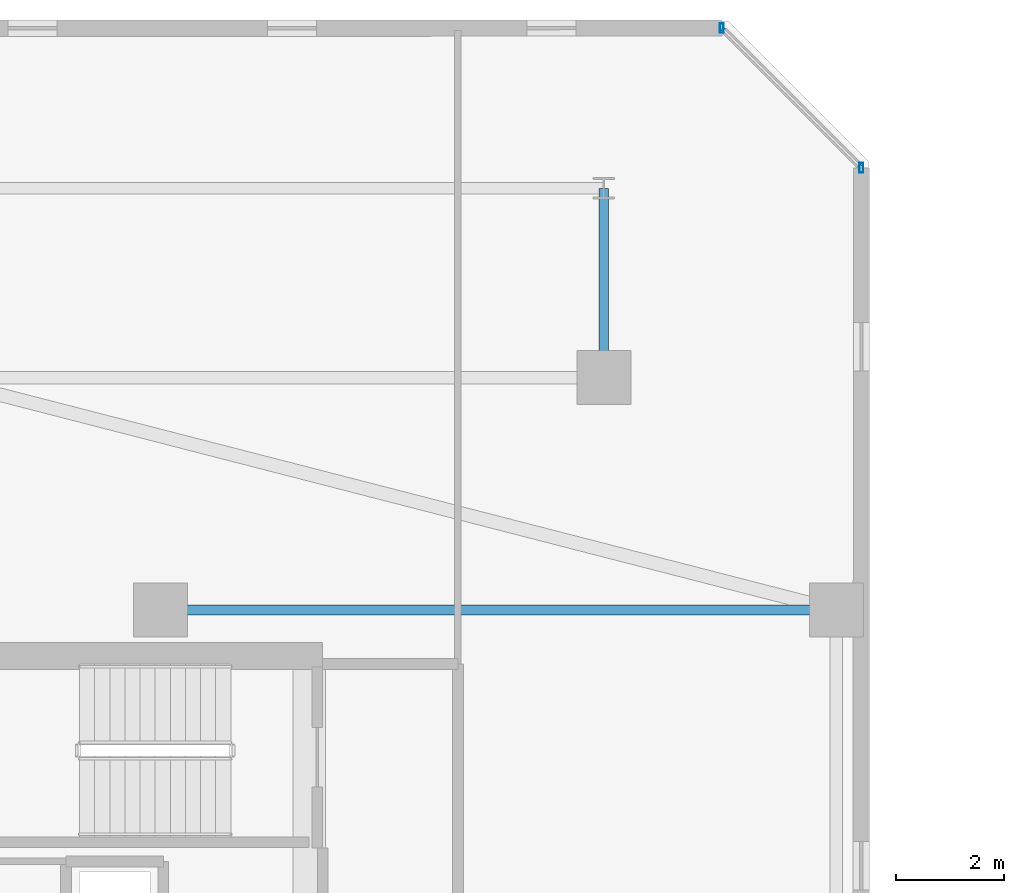
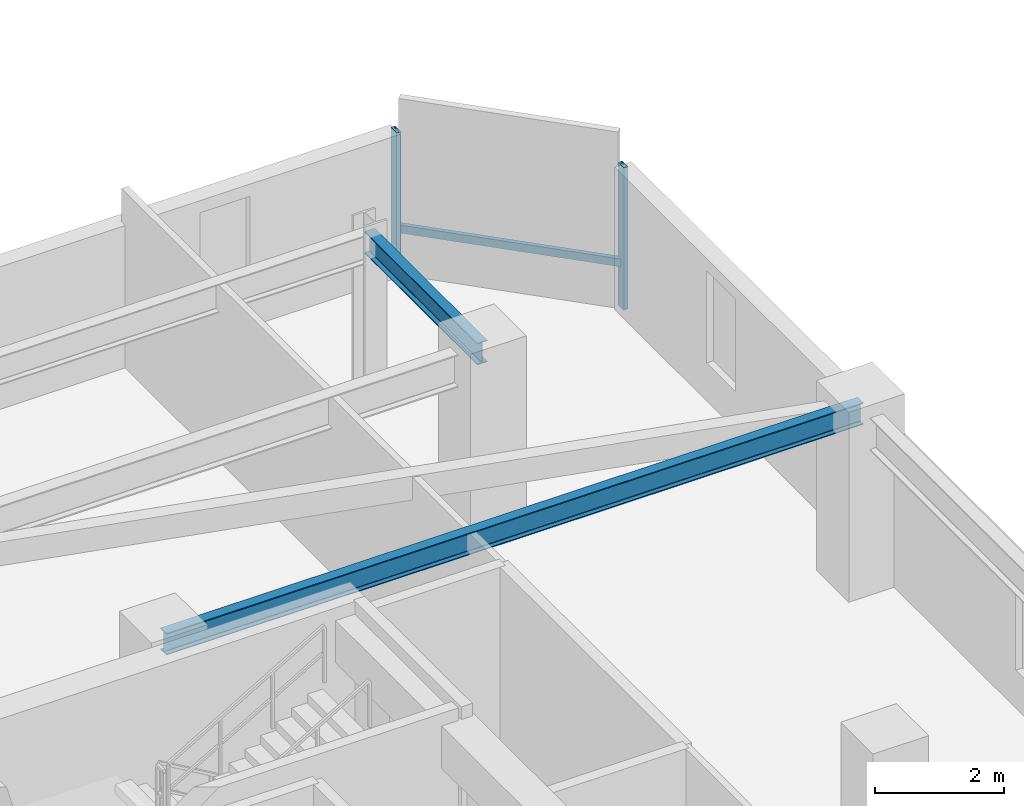
# One storey, part 10 of 33: 3 members, 2 beams, 1 element without a shape of its own.
"""IFC4 building model written with IfcOpenShell, lengths in metres."""

from ifc_helpers import new_model, si_unit, direction, frame, origin, origin_2d, place, context, subcontext, project, spatial, hollow_rectangle, i_section, extrude, material, material_profile, profile_set, type_object, element, aggregate, save


model = new_model("IFC4")

# Units and contexts
model_context = context("Model", 3, precision=1e-05, world=origin(), true_north=direction((0.0, 1.0)))
body_context = subcontext(model_context, "Body", "Model", "MODEL_VIEW")
ifc_project = project(units=[si_unit("LENGTHUNIT", "METRE"), si_unit("AREAUNIT", "SQUARE_METRE"), si_unit("VOLUMEUNIT", "CUBIC_METRE"), si_unit("PLANEANGLEUNIT", "RADIAN"), si_unit("MASSUNIT", "GRAM", prefix="KILO")], contexts=[model_context])

# Site, building, storey
site_placement = place(None, origin())
site = spatial("IfcSite", under=ifc_project, at=site_placement, CompositionType="ELEMENT")
building_placement = place(site_placement, origin())
building = spatial("IfcBuilding", under=site, at=building_placement, Name="Thornwick Lancets Civic Towers", CompositionType="ELEMENT")
storey_placement = place(building_placement, frame((0.0, 0.0, 207.300048828125)))
storey = spatial("IfcBuildingStorey", under=building, at=storey_placement, Name="L55", CompositionType="ELEMENT", Elevation=207.300048828125)

# Beams
ifc_material_1 = material(Name="Steel S355JR", Category="steel")
ifc_material_profile_1 = material_profile(ifc_material_1, i_section(OverallWidth=0.179443359375, OverallDepth=0.412841796875, WebThickness=0.009521484375, FlangeThickness=0.01611328125, FilletRadius=0.01025390625, at=origin_2d()), Name="UKB 406x178x74")
ifc_profile_set_1 = profile_set([ifc_material_profile_1], Name="Steel S355JR")
beam_type = type_object("IfcBeamType", Name="BM_JOIST_406_74", PredefinedType="JOIST", material=ifc_profile_set_1)
beam_1_placement = place(storey_placement, frame((30.300048828125, 40.0, 3.153564453125), z_axis=(1.0, 0.0, 0.0), x_axis=(0.0, 1.0, 0.0)))
element("IfcBeam", 1, at=beam_1_placement, inside=storey, type_object=beam_type, Name="BM-RADIN-L55-A06", PredefinedType="JOIST", context=body_context, shape_type="SweptSolid", body=[
    extrude(i_section(OverallWidth=0.179443359375, OverallDepth=0.412841796875, WebThickness=0.009521484375, FlangeThickness=0.01611328125, FilletRadius=0.01025390625, at=origin_2d()), origin(), (0.0, 0.0, 1.0), 12.5),
])
beam_2_placement = place(storey_placement, frame((38.5, 44.300048828125, 3.153564453125), z_axis=(0.0, 1.0, 0.0), x_axis=(-1.0, 0.0, 0.0)))
element("IfcBeam", 2, at=beam_2_placement, inside=storey, type_object=beam_type, Name="BM-RAD-L55-A09", PredefinedType="JOIST", context=body_context, shape_type="SweptSolid", body=[
    extrude(i_section(OverallWidth=0.179443359375, OverallDepth=0.412841796875, WebThickness=0.009521484375, FlangeThickness=0.01611328125, FilletRadius=0.01025390625, at=origin_2d()), origin(), (0.0, 0.0, 1.0), 3.5),
])

# Curtain wall, members
ifc_material_2 = material(Name="High-zone chamfered-corner unitised glass curtain wall", Category="glass")
curtain_wall_type = type_object("IfcCurtainWallType", Name="CW_SYS_05", PredefinedType="NOTDEFINED", material=ifc_material_2)
curtain_wall_placement = place(storey_placement, origin())
curtain_wall = element("IfcCurtainWall", 3, at=curtain_wall_placement, inside=storey, type_object=curtain_wall_type, Name="L55 Curtain Wall CW-L55-A-E3", PredefinedType="NOTDEFINED")
ifc_material_3 = material(Name="Thermally broken bronze aluminium S355", Category="steel")
ifc_material_profile_2 = material_profile(ifc_material_3, hollow_rectangle(XDim=0.074951171875, YDim=0.179931640625, WallThickness=0.006103515625, at=origin_2d()), Name="RHS 180x75x6")
ifc_profile_set_2 = profile_set([ifc_material_profile_2], Name="Thermally broken bronze aluminium S355")
member_type_1 = type_object("IfcMemberType", Name="CW_MUL_180", PredefinedType="MULLION", material=ifc_profile_set_2)
member_1_placement = place(storey_placement, frame((43.2646484375, 48.181396484375, 0.0), z_axis=(0.0, 0.0, 1.0), x_axis=(1.0, 0.0, 0.0)))
member_1 = element("IfcMember", 4, at=member_1_placement, type_object=member_type_1, Name="CW-L55-A-E3 Mullion 0", PredefinedType="MULLION", context=body_context, shape_type="SweptSolid", body=[
    extrude(hollow_rectangle(XDim=0.074951171875, YDim=0.179931640625, WallThickness=0.006103515625, at=origin_2d()), origin(), (0.0, 0.0, 1.0), 2.699951171875),
])
member_2_placement = place(storey_placement, frame((40.681396484375, 50.7646484375, 0.0), z_axis=(0.0, 0.0, 1.0), x_axis=(1.0, 0.0, 0.0)))
member_2 = element("IfcMember", 5, at=member_2_placement, type_object=member_type_1, Name="CW-L55-A-E3 Mullion 1", PredefinedType="MULLION", context=body_context, shape_type="SweptSolid", body=[
    extrude(hollow_rectangle(XDim=0.074951171875, YDim=0.179931640625, WallThickness=0.006103515625, at=origin_2d()), origin(), (0.0, 0.0, 1.0), 2.699951171875),
])
ifc_material_profile_3 = material_profile(ifc_material_3, hollow_rectangle(XDim=0.074951171875, YDim=0.14990234375, WallThickness=0.0048828125, at=origin_2d()), Name="RHS 150x75x5")
ifc_profile_set_3 = profile_set([ifc_material_profile_3], Name="Thermally broken bronze aluminium S355")
member_type_2 = type_object("IfcMemberType", Name="CW_TRN_150", PredefinedType="USERDEFINED", material=ifc_profile_set_3)
member_3_placement = place(storey_placement, frame((43.25048828125, 48.195556640625, 0.849853515625), z_axis=(-0.707106781187, 0.707106781187, 0.0), x_axis=(-0.707106781187, -0.707106781187, 0.0)))
member_3 = element("IfcMember", 6, at=member_3_placement, type_object=member_type_2, Name="CW-L55-A-E3 Transom 0", ObjectType="TRANSOM", PredefinedType="USERDEFINED", context=body_context, shape_type="SweptSolid", body=[
    extrude(hollow_rectangle(XDim=0.074951171875, YDim=0.14990234375, WallThickness=0.0048828125, at=origin_2d()), origin(), (0.0, 0.0, 1.0), 3.61328125),
])
aggregate(curtain_wall, [member_1, member_2, member_3])

save(model, "model.ifc")
